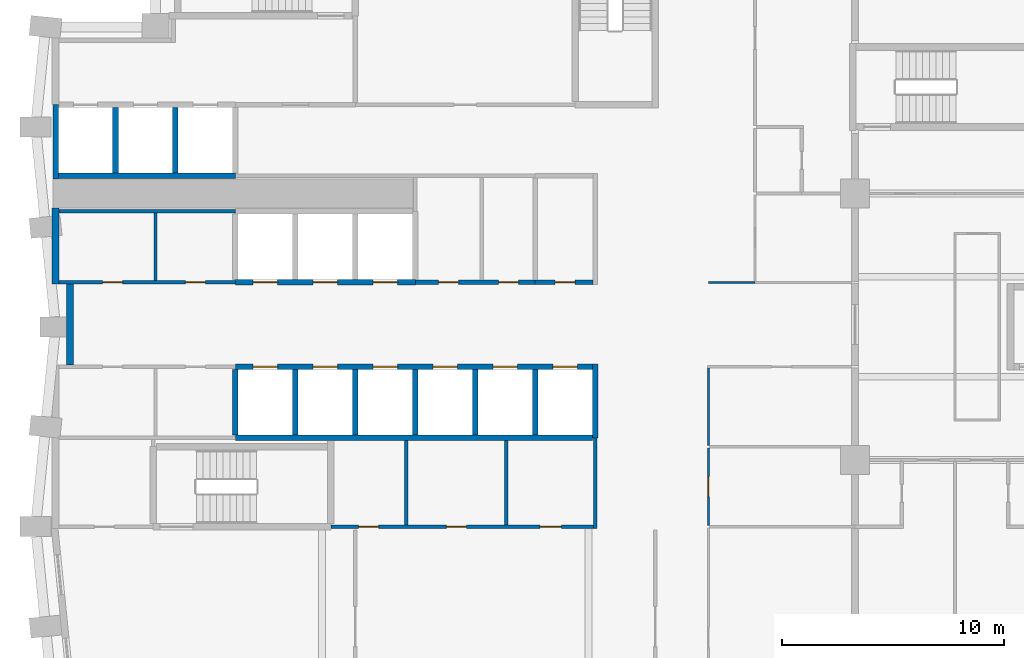
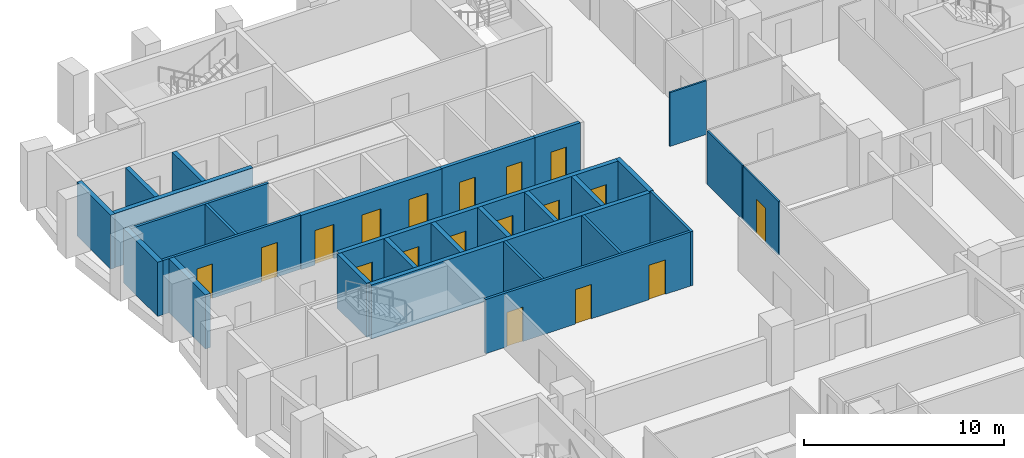
# One storey, part 6 of 13: 28 walls, 18 doors, 18 openings.
"""IFC4 building model written with IfcOpenShell, lengths in metres."""

from ifc_helpers import new_model, si_unit, direction, frame, frame_2d, origin, place, context, subcontext, project, spatial, rectangle, extrude, material, layer, layer_set, type_object, element, fill, save


model = new_model("IFC4")

# Units and contexts
model_context = context("Model", 3, precision=1e-05, world=origin(), true_north=direction((0.0, 1.0)))
body_context = subcontext(model_context, "Body", "Model", "MODEL_VIEW")
ifc_project = project(units=[si_unit("LENGTHUNIT", "METRE"), si_unit("AREAUNIT", "SQUARE_METRE"), si_unit("VOLUMEUNIT", "CUBIC_METRE"), si_unit("PLANEANGLEUNIT", "RADIAN"), si_unit("MASSUNIT", "GRAM", prefix="KILO")], contexts=[model_context])

# Site, building, storey
site_placement = place(None, origin())
site = spatial("IfcSite", under=ifc_project, at=site_placement, CompositionType="ELEMENT")
building_placement = place(site_placement, origin())
building = spatial("IfcBuilding", under=site, at=building_placement, Name="Brondeck Convention Tower", CompositionType="ELEMENT")
storey_placement = place(building_placement, frame((0.0, 0.0, 41.10009765625)))
storey = spatial("IfcBuildingStorey", under=building, at=storey_placement, Name="L07", CompositionType="ELEMENT", Elevation=41.10009765625)

# Wall, openings, doors
ifc_material_1 = material(Name="Concrete C80/95", Category="concrete")
ifc_layer_1 = layer(ifc_material_1, 0.14990234375)
ifc_layer_set_1 = layer_set([ifc_layer_1], Name="Core beam-seat wall 150 Concrete C80/95")
wall_type_1 = type_object("IfcWallType", Name="Core beam-seat wall 150 Concrete C80/95", PredefinedType="SHEAR", material=ifc_layer_set_1)
wall_1_placement = place(storey_placement, frame((12.39990234375, 36.0, 0.0), z_axis=(0.0, 0.0, 1.0), x_axis=(1.0, 0.0, 0.0)))
wall_1 = element("IfcWall", 1, at=wall_1_placement, inside=storey, type_object=wall_type_1, Name="L07 core wall", PredefinedType="SHEAR", context=body_context, shape_type="SweptSolid", body=[
    extrude(rectangle(XDim=11.8251953125, YDim=0.14990234375, at=frame_2d((5.91259765625, 0.0))), origin(), (0.0, 0.0, 1.0), 3.2998046875),
])
opening_1_placement = place(wall_1_placement, frame((1.25, 0.0, 0.0)))
opening_1 = element("IfcOpeningElement", 2, at=opening_1_placement, cuts=wall_1, Name="Opening C08-03", PredefinedType="OPENING", context=body_context, shape_type="SweptSolid", body=[
    extrude(rectangle(XDim=0.89990234375, YDim=2.10009765625, at=frame_2d((0.449951171875, 1.050048828125))), frame((0.0, 0.0849609375, 0.0), z_axis=(0.0, -1.0, 0.0), x_axis=(1.0, 0.0, 0.0)), (0.0, 0.0, 1.0), 0.169921875),
])
opening_2_placement = place(wall_1_placement, frame((5.199951171875, 0.0, 0.0)))
opening_2 = element("IfcOpeningElement", 3, at=opening_2_placement, cuts=wall_1, Name="Opening C08-04", PredefinedType="OPENING", context=body_context, shape_type="SweptSolid", body=[
    extrude(rectangle(XDim=0.89990234375, YDim=2.10009765625, at=frame_2d((0.449951171875, 1.050048828125))), frame((0.0, 0.0849609375, 0.0), z_axis=(0.0, -1.0, 0.0), x_axis=(1.0, 0.0, 0.0)), (0.0, 0.0, 1.0), 0.169921875),
])
opening_3_placement = place(wall_1_placement, frame((9.425048828125, 0.0, 0.0)))
opening_3 = element("IfcOpeningElement", 4, at=opening_3_placement, cuts=wall_1, Name="Opening C08-05", PredefinedType="OPENING", context=body_context, shape_type="SweptSolid", body=[
    extrude(rectangle(XDim=0.949951171875, YDim=2.10009765625, at=frame_2d((0.47509765625, 1.050048828125))), frame((0.0, 0.0849609375, 0.0), z_axis=(0.0, -1.0, 0.0), x_axis=(1.0, 0.0, 0.0)), (0.0, 0.0, 1.0), 0.169921875),
])
ifc_material_2 = material(Name="Steel fire door", Category="steel")
door_type_1 = type_object("IfcDoorType", Name="Room door 900x2100 EI 60", OperationType="NOTDEFINED", PredefinedType="DOOR", material=ifc_material_2)
door_1_placement = place(opening_1_placement, origin())
door_1 = element("IfcDoor", 5, at=door_1_placement, inside=storey, type_object=door_type_1, Name="L07 Room door FR-1", OperationType="SINGLE_SWING_RIGHT", OverallHeight=2.10009765625, OverallWidth=0.89990234375, PredefinedType="DOOR", context=body_context, shape_type="SweptSolid", body=[
    extrude(rectangle(XDim=0.89990234375, YDim=2.10009765625, at=frame_2d((0.449951171875, 1.050048828125))), frame((0.0, 0.02490234375, 0.0), z_axis=(0.0, -1.0, 0.0), x_axis=(1.0, 0.0, 0.0)), (0.0, 0.0, 1.0), 0.050048828125),
])
fill(opening_1, door_1)
door_2_placement = place(opening_2_placement, origin())
door_2 = element("IfcDoor", 6, at=door_2_placement, inside=storey, type_object=door_type_1, Name="L07 Room door FR-2", OperationType="SINGLE_SWING_LEFT", OverallHeight=2.10009765625, OverallWidth=0.89990234375, PredefinedType="DOOR", context=body_context, shape_type="SweptSolid", body=[
    extrude(rectangle(XDim=0.89990234375, YDim=2.10009765625, at=frame_2d((0.449951171875, 1.050048828125))), frame((0.0, 0.02490234375, 0.0), z_axis=(0.0, -1.0, 0.0), x_axis=(1.0, 0.0, 0.0)), (0.0, 0.0, 1.0), 0.050048828125),
])
fill(opening_2, door_2)
door_type_2 = type_object("IfcDoorType", Name="Room door 950x2100 EI 60", OperationType="NOTDEFINED", PredefinedType="DOOR", material=ifc_material_2)
door_3_placement = place(opening_3_placement, origin())
door_3 = element("IfcDoor", 7, at=door_3_placement, inside=storey, type_object=door_type_2, Name="L07 Room door FR-3", OperationType="SINGLE_SWING_RIGHT", OverallHeight=2.10009765625, OverallWidth=0.949951171875, PredefinedType="DOOR", context=body_context, shape_type="SweptSolid", body=[
    extrude(rectangle(XDim=0.949951171875, YDim=2.10009765625, at=frame_2d((0.47509765625, 1.050048828125))), frame((0.0, 0.02490234375, 0.0), z_axis=(0.0, -1.0, 0.0), x_axis=(1.0, 0.0, 0.0)), (0.0, 0.0, 1.0), 0.050048828125),
])
fill(opening_3, door_3)

# Walls
wall_2_placement = place(storey_placement, frame((24.300048828125, 35.925048828125, 0.0), z_axis=(0.0, 0.0, 1.0), x_axis=(0.0, 1.0, 0.0)))
element("IfcWall", 8, at=wall_2_placement, inside=storey, type_object=wall_type_1, Name="L07 core wall", PredefinedType="SHEAR", context=body_context, shape_type="SweptSolid", body=[
    extrude(rectangle(XDim=4.074951171875, YDim=0.14990234375, at=frame_2d((2.03759765625, 0.0))), origin(), (0.0, 0.0, 1.0), 3.2998046875),
])
ifc_layer_2 = layer(ifc_material_1, 0.300048828125)
ifc_layer_set_2 = layer_set([ifc_layer_2], Name="Core outer wall 300 Concrete C80/95")
wall_type_2 = type_object("IfcWallType", Name="Core outer wall 300 Concrete C80/95", PredefinedType="SHEAR", material=ifc_layer_set_2)
wall_3_placement = place(storey_placement, frame((0.0, 46.925048828125, 0.0), z_axis=(0.0, 0.0, 1.0), x_axis=(0.0, 1.0, 0.0)))
element("IfcWall", 9, at=wall_3_placement, inside=storey, type_object=wall_type_2, Name="L07 core wall", PredefinedType="SHEAR", context=body_context, shape_type="SweptSolid", body=[
    extrude(rectangle(XDim=3.425048828125, YDim=0.300048828125, at=frame_2d((1.71240234375, 0.0))), origin(), (0.0, 0.0, 1.0), 3.2998046875),
])
wall_4_placement = place(storey_placement, frame((0.64990234375, 43.27490234375, 0.0), z_axis=(0.0, 0.0, 1.0), x_axis=(0.0, 1.0, 0.0)))
element("IfcWall", 10, at=wall_4_placement, inside=storey, type_object=wall_type_2, Name="L07 core wall", PredefinedType="SHEAR", context=body_context, shape_type="SweptSolid", body=[
    extrude(rectangle(XDim=3.650146484375, YDim=0.300048828125, at=frame_2d((1.8251953125, 0.0))), origin(), (0.0, 0.0, 1.0), 3.2998046875),
])

# Wall, openings, doors
ifc_material_3 = material(Name="Fire-rated gypsum board partition")
ifc_layer_3 = layer(ifc_material_3, 0.14990234375)
ifc_layer_set_3 = layer_set([ifc_layer_3], Name="Core partition 150 EI 60")
wall_type_3 = type_object("IfcWallType", Name="Core partition 150 EI 60", PredefinedType="PARTITIONING", material=ifc_layer_set_3)
wall_5_placement = place(storey_placement, frame((0.14990234375, 47.0, 0.0), z_axis=(0.0, 0.0, 1.0), x_axis=(1.0, 0.0, 0.0)))
wall_5 = element("IfcWall", 11, at=wall_5_placement, inside=storey, type_object=wall_type_3, Name="L07 core wall", PredefinedType="PARTITIONING", context=body_context, shape_type="SweptSolid", body=[
    extrude(rectangle(XDim=7.9501953125, YDim=0.14990234375, at=frame_2d((3.97509765625, 0.0))), origin(), (0.0, 0.0, 1.0), 3.2998046875),
])
opening_4_placement = place(wall_5_placement, frame((1.97509765625, 0.0, 0.0)))
opening_4 = element("IfcOpeningElement", 12, at=opening_4_placement, cuts=wall_5, Name="Opening C08-07", PredefinedType="OPENING", context=body_context, shape_type="SweptSolid", body=[
    extrude(rectangle(XDim=0.89990234375, YDim=2.10009765625, at=frame_2d((0.449951171875, 1.050048828125))), frame((0.0, 0.0849609375, 0.0), z_axis=(0.0, -1.0, 0.0), x_axis=(1.0, 0.0, 0.0)), (0.0, 0.0, 1.0), 0.169921875),
])
opening_5_placement = place(wall_5_placement, frame((5.699951171875, 0.0, 0.0)))
opening_5 = element("IfcOpeningElement", 13, at=opening_5_placement, cuts=wall_5, Name="Opening C08-08", PredefinedType="OPENING", context=body_context, shape_type="SweptSolid", body=[
    extrude(rectangle(XDim=0.89990234375, YDim=2.10009765625, at=frame_2d((0.449951171875, 1.050048828125))), frame((0.0, 0.0849609375, 0.0), z_axis=(0.0, -1.0, 0.0), x_axis=(1.0, 0.0, 0.0)), (0.0, 0.0, 1.0), 0.169921875),
])
door_4_placement = place(opening_4_placement, origin())
door_4 = element("IfcDoor", 14, at=door_4_placement, inside=storey, type_object=door_type_1, Name="L07 Room door FZ-N-0-1", OperationType="SINGLE_SWING_RIGHT", OverallHeight=2.10009765625, OverallWidth=0.89990234375, PredefinedType="DOOR", context=body_context, shape_type="SweptSolid", body=[
    extrude(rectangle(XDim=0.89990234375, YDim=2.10009765625, at=frame_2d((0.449951171875, 1.050048828125))), frame((0.0, 0.02490234375, 0.0), z_axis=(0.0, -1.0, 0.0), x_axis=(1.0, 0.0, 0.0)), (0.0, 0.0, 1.0), 0.050048828125),
])
fill(opening_4, door_4)
door_5_placement = place(opening_5_placement, origin())
door_5 = element("IfcDoor", 15, at=door_5_placement, inside=storey, type_object=door_type_1, Name="L07 Room door FZ-N-0-2", OperationType="SINGLE_SWING_LEFT", OverallHeight=2.10009765625, OverallWidth=0.89990234375, PredefinedType="DOOR", context=body_context, shape_type="SweptSolid", body=[
    extrude(rectangle(XDim=0.89990234375, YDim=2.10009765625, at=frame_2d((0.449951171875, 1.050048828125))), frame((0.0, 0.02490234375, 0.0), z_axis=(0.0, -1.0, 0.0), x_axis=(1.0, 0.0, 0.0)), (0.0, 0.0, 1.0), 0.050048828125),
])
fill(opening_5, door_5)

# Walls
wall_6_placement = place(storey_placement, frame((0.14990234375, 50.199951171875, 0.0), z_axis=(0.0, 0.0, 1.0), x_axis=(1.0, 0.0, 0.0)))
element("IfcWall", 16, at=wall_6_placement, inside=storey, type_object=wall_type_3, Name="L07 core wall", PredefinedType="PARTITIONING", context=body_context, shape_type="SweptSolid", body=[
    extrude(rectangle(XDim=7.9501953125, YDim=0.14990234375, at=frame_2d((3.97509765625, 0.0))), origin(), (0.0, 0.0, 1.0), 3.2998046875),
])
wall_7_placement = place(storey_placement, frame((4.5, 47.074951171875, 0.0), z_axis=(0.0, 0.0, 1.0), x_axis=(0.0, 1.0, 0.0)))
element("IfcWall", 17, at=wall_7_placement, inside=storey, type_object=wall_type_3, Name="L07 core wall", PredefinedType="PARTITIONING", context=body_context, shape_type="SweptSolid", body=[
    extrude(rectangle(XDim=3.050048828125, YDim=0.14990234375, at=frame_2d((1.52490234375, 0.0))), origin(), (0.0, 0.0, 1.0), 3.2998046875),
])
for number, where, z_axis, x_axis, name in (
    (18, (15.800048828125, 36.074951171875, 0.0), (0.0, 0.0, 1.0), (0.0, 1.0, 0.0), "L07 core wall"),
    (19, (20.300048828125, 36.074951171875, 0.0), (0.0, 0.0, 1.0), (0.0, 1.0, 0.0), "L07 core wall"),
):
    element("IfcWall", number, at=place(storey_placement, frame(where, z_axis=z_axis, x_axis=x_axis)), inside=storey, type_object=wall_type_3, Name=name, PredefinedType="PARTITIONING", context=body_context, shape_type="SweptSolid", body=[
        extrude(rectangle(XDim=3.800048828125, YDim=0.14990234375, at=frame_2d((1.89990234375, 0.0))), origin(), (0.0, 0.0, 1.0), 3.2998046875),
    ])

# Wall, openings, doors
ifc_layer_4 = layer(ifc_material_3, 0.199951171875)
ifc_layer_set_4 = layer_set([ifc_layer_4], Name="Lift lobby wall 200 EI 60")
wall_type_4 = type_object("IfcWallType", Name="Lift lobby wall 200 EI 60", PredefinedType="PARTITIONING", material=ifc_layer_set_4)
wall_8_placement = place(storey_placement, frame((16.199951171875, 47.0, 0.0), z_axis=(0.0, 0.0, 1.0), x_axis=(1.0, 0.0, 0.0)))
wall_8 = element("IfcWall", 20, at=wall_8_placement, inside=storey, type_object=wall_type_4, Name="L07 core wall", PredefinedType="PARTITIONING", context=body_context, shape_type="SweptSolid", body=[
    extrude(rectangle(XDim=5.400146484375, YDim=0.199951171875, at=frame_2d((2.7001953125, 0.0))), origin(), (0.0, 0.0, 1.0), 3.2998046875),
])
opening_6_placement = place(wall_8_placement, frame((1.050048828125, 0.0, 0.0)))
opening_6 = element("IfcOpeningElement", 21, at=opening_6_placement, cuts=wall_8, Name="Opening C08-09", PredefinedType="OPENING", context=body_context, shape_type="SweptSolid", body=[
    extrude(rectangle(XDim=0.89990234375, YDim=2.10009765625, at=frame_2d((0.449951171875, 1.050048828125))), frame((0.0, 0.10986328125, 0.0), z_axis=(0.0, -1.0, 0.0), x_axis=(1.0, 0.0, 0.0)), (0.0, 0.0, 1.0), 0.219970703125),
])
opening_7_placement = place(wall_8_placement, frame((3.75, 0.0, 0.0)))
opening_7 = element("IfcOpeningElement", 22, at=opening_7_placement, cuts=wall_8, Name="Opening C08-10", PredefinedType="OPENING", context=body_context, shape_type="SweptSolid", body=[
    extrude(rectangle(XDim=0.89990234375, YDim=2.10009765625, at=frame_2d((0.449951171875, 1.050048828125))), frame((0.0, 0.10986328125, 0.0), z_axis=(0.0, -1.0, 0.0), x_axis=(1.0, 0.0, 0.0)), (0.0, 0.0, 1.0), 0.219970703125),
])
door_6_placement = place(opening_6_placement, origin())
door_6 = element("IfcDoor", 23, at=door_6_placement, inside=storey, type_object=door_type_1, Name="L07 Room door FZ-N-16.2-1", OperationType="SINGLE_SWING_LEFT", OverallHeight=2.10009765625, OverallWidth=0.89990234375, PredefinedType="DOOR", context=body_context, shape_type="SweptSolid", body=[
    extrude(rectangle(XDim=0.89990234375, YDim=2.10009765625, at=frame_2d((0.449951171875, 1.050048828125))), frame((0.0, 0.02490234375, 0.0), z_axis=(0.0, -1.0, 0.0), x_axis=(1.0, 0.0, 0.0)), (0.0, 0.0, 1.0), 0.050048828125),
])
fill(opening_6, door_6)
door_7_placement = place(opening_7_placement, origin())
door_7 = element("IfcDoor", 24, at=door_7_placement, inside=storey, type_object=door_type_1, Name="L07 Room door FZ-N-16.2-2", OperationType="SINGLE_SWING_RIGHT", OverallHeight=2.10009765625, OverallWidth=0.89990234375, PredefinedType="DOOR", context=body_context, shape_type="SweptSolid", body=[
    extrude(rectangle(XDim=0.89990234375, YDim=2.10009765625, at=frame_2d((0.449951171875, 1.050048828125))), frame((0.0, 0.02490234375, 0.0), z_axis=(0.0, -1.0, 0.0), x_axis=(1.0, 0.0, 0.0)), (0.0, 0.0, 1.0), 0.050048828125),
])
fill(opening_7, door_7)

# Wall
ifc_layer_5 = layer(ifc_material_1, 0.25)
ifc_layer_set_5 = layer_set([ifc_layer_5], Name="Lift shaft wall 250 Concrete C80/95")
wall_type_5 = type_object("IfcWallType", Name="Lift shaft wall 250 Concrete C80/95", PredefinedType="SHEAR", material=ifc_layer_set_5)
wall_9_placement = place(storey_placement, frame((8.10009765625, 40.0, 0.0), z_axis=(0.0, 0.0, 1.0), x_axis=(1.0, 0.0, 0.0)))
element("IfcWall", 25, at=wall_9_placement, inside=storey, type_object=wall_type_5, Name="L07 core wall", PredefinedType="SHEAR", context=body_context, shape_type="SweptSolid", body=[
    extrude(rectangle(XDim=16.074951171875, YDim=0.25, at=frame_2d((8.03759765625, 0.0))), origin(), (0.0, 0.0, 1.0), 3.2998046875),
])

# Wall, openings, doors
wall_10_placement = place(storey_placement, frame((8.10009765625, 43.199951171875, 0.0), z_axis=(0.0, 0.0, 1.0), x_axis=(1.0, 0.0, 0.0)))
wall_10 = element("IfcWall", 26, at=wall_10_placement, inside=storey, type_object=wall_type_5, Name="L07 core wall", PredefinedType="SHEAR", context=body_context, shape_type="SweptSolid", body=[
    extrude(rectangle(XDim=16.074951171875, YDim=0.25, at=frame_2d((8.03759765625, 0.0))), origin(), (0.0, 0.0, 1.0), 3.2998046875),
])
opening_8_placement = place(wall_10_placement, frame((14.300048828125, 0.0, 0.0)))
opening_8 = element("IfcOpeningElement", 27, at=opening_8_placement, cuts=wall_10, Name="Opening C08-24", PredefinedType="OPENING", context=body_context, shape_type="SweptSolid", body=[
    extrude(rectangle(XDim=1.10009765625, YDim=2.10009765625, at=frame_2d((0.550048828125, 1.050048828125))), frame((0.0, 0.135009765625, 0.0), z_axis=(0.0, -1.0, 0.0), x_axis=(1.0, 0.0, 0.0)), (0.0, 0.0, 1.0), 0.27001953125),
])
opening_9_placement = place(wall_10_placement, frame((0.800048828125, 0.0, 0.0)))
opening_9 = element("IfcOpeningElement", 28, at=opening_9_placement, cuts=wall_10, Name="Opening C08-25", PredefinedType="OPENING", context=body_context, shape_type="SweptSolid", body=[
    extrude(rectangle(XDim=1.10009765625, YDim=2.10009765625, at=frame_2d((0.550048828125, 1.050048828125))), frame((0.0, 0.135009765625, 0.0), z_axis=(0.0, -1.0, 0.0), x_axis=(1.0, 0.0, 0.0)), (0.0, 0.0, 1.0), 0.27001953125),
])
opening_10_placement = place(wall_10_placement, frame((3.5, 0.0, 0.0)))
opening_10 = element("IfcOpeningElement", 29, at=opening_10_placement, cuts=wall_10, Name="Opening C08-26", PredefinedType="OPENING", context=body_context, shape_type="SweptSolid", body=[
    extrude(rectangle(XDim=1.10009765625, YDim=2.10009765625, at=frame_2d((0.550048828125, 1.050048828125))), frame((0.0, 0.135009765625, 0.0), z_axis=(0.0, -1.0, 0.0), x_axis=(1.0, 0.0, 0.0)), (0.0, 0.0, 1.0), 0.27001953125),
])
opening_11_placement = place(wall_10_placement, frame((6.199951171875, 0.0, 0.0)))
opening_11 = element("IfcOpeningElement", 30, at=opening_11_placement, cuts=wall_10, Name="Opening C08-27", PredefinedType="OPENING", context=body_context, shape_type="SweptSolid", body=[
    extrude(rectangle(XDim=1.10009765625, YDim=2.10009765625, at=frame_2d((0.550048828125, 1.050048828125))), frame((0.0, 0.135009765625, 0.0), z_axis=(0.0, -1.0, 0.0), x_axis=(1.0, 0.0, 0.0)), (0.0, 0.0, 1.0), 0.27001953125),
])
opening_12_placement = place(wall_10_placement, frame((8.89990234375, 0.0, 0.0)))
opening_12 = element("IfcOpeningElement", 31, at=opening_12_placement, cuts=wall_10, Name="Opening C08-31", PredefinedType="OPENING", context=body_context, shape_type="SweptSolid", body=[
    extrude(rectangle(XDim=1.10009765625, YDim=2.10009765625, at=frame_2d((0.550048828125, 1.050048828125))), frame((0.0, 0.135009765625, 0.0), z_axis=(0.0, -1.0, 0.0), x_axis=(1.0, 0.0, 0.0)), (0.0, 0.0, 1.0), 0.27001953125),
])
opening_13_placement = place(wall_10_placement, frame((11.60009765625, 0.0, 0.0)))
opening_13 = element("IfcOpeningElement", 32, at=opening_13_placement, cuts=wall_10, Name="Opening C08-32", PredefinedType="OPENING", context=body_context, shape_type="SweptSolid", body=[
    extrude(rectangle(XDim=1.10009765625, YDim=2.10009765625, at=frame_2d((0.550048828125, 1.050048828125))), frame((0.0, 0.135009765625, 0.0), z_axis=(0.0, -1.0, 0.0), x_axis=(1.0, 0.0, 0.0)), (0.0, 0.0, 1.0), 0.27001953125),
])
ifc_material_4 = material(Name="Stainless steel lift door", Category="steel")
door_type_3 = type_object("IfcDoorType", Name="Lift landing door 1100x2100 EI 180", OperationType="DOUBLE_DOOR_SLIDING", PredefinedType="DOOR", material=ifc_material_4)
door_8_placement = place(opening_8_placement, origin())
door_8 = element("IfcDoor", 33, at=door_8_placement, inside=storey, type_object=door_type_3, Name="L07 Lift landing door HS1", OperationType="DOUBLE_DOOR_SLIDING", OverallHeight=2.10009765625, OverallWidth=1.10009765625, PredefinedType="DOOR", context=body_context, shape_type="SweptSolid", body=[
    extrude(rectangle(XDim=1.10009765625, YDim=2.10009765625, at=frame_2d((0.550048828125, 1.050048828125))), frame((0.0, 0.02490234375, 0.0), z_axis=(0.0, -1.0, 0.0), x_axis=(1.0, 0.0, 0.0)), (0.0, 0.0, 1.0), 0.050048828125),
])
fill(opening_8, door_8)
door_9_placement = place(opening_9_placement, origin())
door_9 = element("IfcDoor", 34, at=door_9_placement, inside=storey, type_object=door_type_3, Name="L07 Lift landing door LR1", OperationType="DOUBLE_DOOR_SLIDING", OverallHeight=2.10009765625, OverallWidth=1.10009765625, PredefinedType="DOOR", context=body_context, shape_type="SweptSolid", body=[
    extrude(rectangle(XDim=1.10009765625, YDim=2.10009765625, at=frame_2d((0.550048828125, 1.050048828125))), frame((0.0, 0.02490234375, 0.0), z_axis=(0.0, -1.0, 0.0), x_axis=(1.0, 0.0, 0.0)), (0.0, 0.0, 1.0), 0.050048828125),
])
fill(opening_9, door_9)
door_10_placement = place(opening_10_placement, origin())
door_10 = element("IfcDoor", 35, at=door_10_placement, inside=storey, type_object=door_type_3, Name="L07 Lift landing door LR2", OperationType="DOUBLE_DOOR_SLIDING", OverallHeight=2.10009765625, OverallWidth=1.10009765625, PredefinedType="DOOR", context=body_context, shape_type="SweptSolid", body=[
    extrude(rectangle(XDim=1.10009765625, YDim=2.10009765625, at=frame_2d((0.550048828125, 1.050048828125))), frame((0.0, 0.02490234375, 0.0), z_axis=(0.0, -1.0, 0.0), x_axis=(1.0, 0.0, 0.0)), (0.0, 0.0, 1.0), 0.050048828125),
])
fill(opening_10, door_10)
door_11_placement = place(opening_11_placement, origin())
door_11 = element("IfcDoor", 36, at=door_11_placement, inside=storey, type_object=door_type_3, Name="L07 Lift landing door LR3", OperationType="DOUBLE_DOOR_SLIDING", OverallHeight=2.10009765625, OverallWidth=1.10009765625, PredefinedType="DOOR", context=body_context, shape_type="SweptSolid", body=[
    extrude(rectangle(XDim=1.10009765625, YDim=2.10009765625, at=frame_2d((0.550048828125, 1.050048828125))), frame((0.0, 0.02490234375, 0.0), z_axis=(0.0, -1.0, 0.0), x_axis=(1.0, 0.0, 0.0)), (0.0, 0.0, 1.0), 0.050048828125),
])
fill(opening_11, door_11)
door_12_placement = place(opening_12_placement, origin())
door_12 = element("IfcDoor", 37, at=door_12_placement, inside=storey, type_object=door_type_3, Name="L07 Lift landing door SH1", OperationType="DOUBLE_DOOR_SLIDING", OverallHeight=2.10009765625, OverallWidth=1.10009765625, PredefinedType="DOOR", context=body_context, shape_type="SweptSolid", body=[
    extrude(rectangle(XDim=1.10009765625, YDim=2.10009765625, at=frame_2d((0.550048828125, 1.050048828125))), frame((0.0, 0.02490234375, 0.0), z_axis=(0.0, -1.0, 0.0), x_axis=(1.0, 0.0, 0.0)), (0.0, 0.0, 1.0), 0.050048828125),
])
fill(opening_12, door_12)
door_13_placement = place(opening_13_placement, origin())
door_13 = element("IfcDoor", 38, at=door_13_placement, inside=storey, type_object=door_type_3, Name="L07 Lift landing door SH2", OperationType="DOUBLE_DOOR_SLIDING", OverallHeight=2.10009765625, OverallWidth=1.10009765625, PredefinedType="DOOR", context=body_context, shape_type="SweptSolid", body=[
    extrude(rectangle(XDim=1.10009765625, YDim=2.10009765625, at=frame_2d((0.550048828125, 1.050048828125))), frame((0.0, 0.02490234375, 0.0), z_axis=(0.0, -1.0, 0.0), x_axis=(1.0, 0.0, 0.0)), (0.0, 0.0, 1.0), 0.050048828125),
])
fill(opening_13, door_13)

wall_11_placement = place(storey_placement, frame((8.10009765625, 47.0, 0.0), z_axis=(0.0, 0.0, 1.0), x_axis=(1.0, 0.0, 0.0)))
wall_11 = element("IfcWall", 39, at=wall_11_placement, inside=storey, type_object=wall_type_5, Name="L07 core wall", PredefinedType="SHEAR", context=body_context, shape_type="SweptSolid", body=[
    extrude(rectangle(XDim=8.099853515625, YDim=0.25, at=frame_2d((4.0498046875, 0.0))), origin(), (0.0, 0.0, 1.0), 3.2998046875),
])
opening_14_placement = place(wall_11_placement, frame((0.800048828125, 0.0, 0.0)))
opening_14 = element("IfcOpeningElement", 40, at=opening_14_placement, cuts=wall_11, Name="Opening C08-28", PredefinedType="OPENING", context=body_context, shape_type="SweptSolid", body=[
    extrude(rectangle(XDim=1.10009765625, YDim=2.10009765625, at=frame_2d((0.550048828125, 1.050048828125))), frame((0.0, 0.135009765625, 0.0), z_axis=(0.0, -1.0, 0.0), x_axis=(1.0, 0.0, 0.0)), (0.0, 0.0, 1.0), 0.27001953125),
])
opening_15_placement = place(wall_11_placement, frame((3.5, 0.0, 0.0)))
opening_15 = element("IfcOpeningElement", 41, at=opening_15_placement, cuts=wall_11, Name="Opening C08-29", PredefinedType="OPENING", context=body_context, shape_type="SweptSolid", body=[
    extrude(rectangle(XDim=1.10009765625, YDim=2.10009765625, at=frame_2d((0.550048828125, 1.050048828125))), frame((0.0, 0.135009765625, 0.0), z_axis=(0.0, -1.0, 0.0), x_axis=(1.0, 0.0, 0.0)), (0.0, 0.0, 1.0), 0.27001953125),
])
opening_16_placement = place(wall_11_placement, frame((6.199951171875, 0.0, 0.0)))
opening_16 = element("IfcOpeningElement", 42, at=opening_16_placement, cuts=wall_11, Name="Opening C08-30", PredefinedType="OPENING", context=body_context, shape_type="SweptSolid", body=[
    extrude(rectangle(XDim=1.10009765625, YDim=2.10009765625, at=frame_2d((0.550048828125, 1.050048828125))), frame((0.0, 0.135009765625, 0.0), z_axis=(0.0, -1.0, 0.0), x_axis=(1.0, 0.0, 0.0)), (0.0, 0.0, 1.0), 0.27001953125),
])
door_14_placement = place(opening_14_placement, origin())
door_14 = element("IfcDoor", 43, at=door_14_placement, inside=storey, type_object=door_type_3, Name="L07 Lift landing door LR4", OperationType="DOUBLE_DOOR_SLIDING", OverallHeight=2.10009765625, OverallWidth=1.10009765625, PredefinedType="DOOR", context=body_context, shape_type="SweptSolid", body=[
    extrude(rectangle(XDim=1.10009765625, YDim=2.10009765625, at=frame_2d((0.550048828125, 1.050048828125))), frame((0.0, 0.02490234375, 0.0), z_axis=(0.0, -1.0, 0.0), x_axis=(1.0, 0.0, 0.0)), (0.0, 0.0, 1.0), 0.050048828125),
])
fill(opening_14, door_14)
door_15_placement = place(opening_15_placement, origin())
door_15 = element("IfcDoor", 44, at=door_15_placement, inside=storey, type_object=door_type_3, Name="L07 Lift landing door LR5", OperationType="DOUBLE_DOOR_SLIDING", OverallHeight=2.10009765625, OverallWidth=1.10009765625, PredefinedType="DOOR", context=body_context, shape_type="SweptSolid", body=[
    extrude(rectangle(XDim=1.10009765625, YDim=2.10009765625, at=frame_2d((0.550048828125, 1.050048828125))), frame((0.0, 0.02490234375, 0.0), z_axis=(0.0, -1.0, 0.0), x_axis=(1.0, 0.0, 0.0)), (0.0, 0.0, 1.0), 0.050048828125),
])
fill(opening_15, door_15)
door_16_placement = place(opening_16_placement, origin())
door_16 = element("IfcDoor", 45, at=door_16_placement, inside=storey, type_object=door_type_3, Name="L07 Lift landing door LR6", OperationType="DOUBLE_DOOR_SLIDING", OverallHeight=2.10009765625, OverallWidth=1.10009765625, PredefinedType="DOOR", context=body_context, shape_type="SweptSolid", body=[
    extrude(rectangle(XDim=1.10009765625, YDim=2.10009765625, at=frame_2d((0.550048828125, 1.050048828125))), frame((0.0, 0.02490234375, 0.0), z_axis=(0.0, -1.0, 0.0), x_axis=(1.0, 0.0, 0.0)), (0.0, 0.0, 1.0), 0.050048828125),
])
fill(opening_16, door_16)

# Walls
wall_12_placement = place(storey_placement, frame((0.125, 51.800048828125, 0.0), z_axis=(0.0, 0.0, 1.0), x_axis=(1.0, 0.0, 0.0)))
element("IfcWall", 46, at=wall_12_placement, inside=storey, type_object=wall_type_5, Name="L07 core wall", PredefinedType="SHEAR", context=body_context, shape_type="SweptSolid", body=[
    extrude(rectangle(XDim=7.97509765625, YDim=0.25, at=frame_2d((3.987548828125, 0.0))), origin(), (0.0, 0.0, 1.0), 3.2998046875),
])
wall_13_placement = place(storey_placement, frame((0.0, 51.64990234375, 0.0), z_axis=(0.0, 0.0, 1.0), x_axis=(0.0, 1.0, 0.0)))
element("IfcWall", 47, at=wall_13_placement, inside=storey, type_object=wall_type_5, Name="L07 core wall", PredefinedType="SHEAR", context=body_context, shape_type="SweptSolid", body=[
    extrude(rectangle(XDim=3.35009765625, YDim=0.25, at=frame_2d((1.675048828125, 0.0))), origin(), (0.0, 0.0, 1.0), 3.2998046875),
])
for number, where, z_axis, x_axis, name in (
    (48, (2.699951171875, 51.925048828125, 0.0), (0.0, 0.0, 1.0), (0.0, 1.0, 0.0), "L07 core wall"),
    (49, (5.39990234375, 51.925048828125, 0.0), (0.0, 0.0, 1.0), (0.0, 1.0, 0.0), "L07 core wall"),
    (50, (8.10009765625, 40.125, 0.0), (0.0, 0.0, 1.0), (0.0, 1.0, 0.0), "L07 core wall"),
    (51, (10.800048828125, 40.125, 0.0), (0.0, 0.0, 1.0), (0.0, 1.0, 0.0), "L07 core wall"),
    (52, (13.5, 40.125, 0.0), (0.0, 0.0, 1.0), (0.0, 1.0, 0.0), "L07 core wall"),
    (53, (16.199951171875, 40.125, 0.0), (0.0, 0.0, 1.0), (0.0, 1.0, 0.0), "L07 core wall"),
    (54, (18.89990234375, 40.125, 0.0), (0.0, 0.0, 1.0), (0.0, 1.0, 0.0), "L07 core wall"),
    (55, (21.60009765625, 40.125, 0.0), (0.0, 0.0, 1.0), (0.0, 1.0, 0.0), "L07 core wall"),
):
    element("IfcWall", number, at=place(storey_placement, frame(where, z_axis=z_axis, x_axis=x_axis)), inside=storey, type_object=wall_type_5, Name=name, PredefinedType="SHEAR", context=body_context, shape_type="SweptSolid", body=[
        extrude(rectangle(XDim=2.949951171875, YDim=0.25, at=frame_2d((1.47509765625, 0.0))), origin(), (0.0, 0.0, 1.0), 3.2998046875),
    ])
wall_14_placement = place(storey_placement, frame((24.300048828125, 40.0, 0.0), z_axis=(0.0, 0.0, 1.0), x_axis=(0.0, 1.0, 0.0)))
element("IfcWall", 56, at=wall_14_placement, inside=storey, type_object=wall_type_5, Name="L07 core wall", PredefinedType="SHEAR", context=body_context, shape_type="SweptSolid", body=[
    extrude(rectangle(XDim=3.324951171875, YDim=0.25, at=frame_2d((1.66259765625, 0.0))), origin(), (0.0, 0.0, 1.0), 3.2998046875),
])

# Wall, opening, door
ifc_layer_6 = layer(ifc_material_3, 0.199951171875)
ifc_layer_set_6 = layer_set([ifc_layer_6], Name="Riser wall 200 EI 120")
wall_type_6 = type_object("IfcWallType", Name="Riser wall 200 EI 120", PredefinedType="PARTITIONING", material=ifc_layer_set_6)
wall_15_placement = place(storey_placement, frame((21.60009765625, 47.0, 0.0), z_axis=(0.0, 0.0, 1.0), x_axis=(1.0, 0.0, 0.0)))
wall_15 = element("IfcWall", 57, at=wall_15_placement, inside=storey, type_object=wall_type_6, Name="L07 core wall", PredefinedType="PARTITIONING", context=body_context, shape_type="SweptSolid", body=[
    extrude(rectangle(XDim=2.599853515625, YDim=0.199951171875, at=frame_2d((1.2998046875, 0.0))), origin(), (0.0, 0.0, 1.0), 3.2998046875),
])
opening_17_placement = place(wall_15_placement, frame((0.89990234375, 0.0, 0.0)))
opening_17 = element("IfcOpeningElement", 58, at=opening_17_placement, cuts=wall_15, Name="Opening C08-02", PredefinedType="OPENING", context=body_context, shape_type="SweptSolid", body=[
    extrude(rectangle(XDim=0.89990234375, YDim=2.10009765625, at=frame_2d((0.449951171875, 1.050048828125))), frame((0.0, 0.10986328125, 0.0), z_axis=(0.0, -1.0, 0.0), x_axis=(1.0, 0.0, 0.0)), (0.0, 0.0, 1.0), 0.219970703125),
])
door_type_4 = type_object("IfcDoorType", Name="Riser door 900x2100 EI 120", OperationType="NOTDEFINED", PredefinedType="DOOR", material=ifc_material_2)
door_17_placement = place(opening_17_placement, origin())
door_17 = element("IfcDoor", 59, at=door_17_placement, inside=storey, type_object=door_type_4, Name="L07 Riser door EN-1", OperationType="SINGLE_SWING_LEFT", OverallHeight=2.10009765625, OverallWidth=0.89990234375, PredefinedType="DOOR", context=body_context, shape_type="SweptSolid", body=[
    extrude(rectangle(XDim=0.89990234375, YDim=2.10009765625, at=frame_2d((0.449951171875, 1.050048828125))), frame((0.0, 0.02490234375, 0.0), z_axis=(0.0, -1.0, 0.0), x_axis=(1.0, 0.0, 0.0)), (0.0, 0.0, 1.0), 0.050048828125),
])
fill(opening_17, door_17)

ifc_material_5 = material(Name="Gypsum board partition on steel studs", Category="steel")
ifc_layer_7 = layer(ifc_material_5, 0.10009765625)
ifc_layer_set_7 = layer_set([ifc_layer_7], Name="Room partition 100")
wall_type_7 = type_object("IfcWallType", Name="Room partition 100", PredefinedType="PARTITIONING", material=ifc_layer_set_7)
wall_16_placement = place(storey_placement, frame((29.39990234375, 39.550048828125, 0.0), z_axis=(0.0, 0.0, 1.0), x_axis=(0.0, -1.0, 0.0)))
wall_16 = element("IfcWall", 60, at=wall_16_placement, inside=storey, type_object=wall_type_7, Name="FLR-L07-W102", PredefinedType="PARTITIONING", context=body_context, shape_type="SweptSolid", body=[
    extrude(rectangle(XDim=3.5, YDim=0.10009765625, at=frame_2d((1.75, 0.0))), origin(), (0.0, 0.0, 1.0), 3.27978515625),
])
opening_18_placement = place(wall_16_placement, frame((1.300048828125, 0.0, 0.0)))
opening_18 = element("IfcOpeningElement", 61, at=opening_18_placement, cuts=wall_16, Name="Opening H1-050", PredefinedType="OPENING", context=body_context, shape_type="SweptSolid", body=[
    extrude(rectangle(XDim=0.89990234375, YDim=2.10009765625, at=frame_2d((0.449951171875, 1.050048828125))), frame((0.0, 0.06005859375, 0.0), z_axis=(0.0, -1.0, 0.0), x_axis=(1.0, 0.0, 0.0)), (0.0, 0.0, 1.0), 0.1201171875),
])
ifc_material_6 = material(Name="Solid timber door leaf", Category="wood")
door_type_5 = type_object("IfcDoorType", Name="Single door 900", OperationType="NOTDEFINED", PredefinedType="DOOR", material=ifc_material_6)
door_18_placement = place(opening_18_placement, origin())
door_18 = element("IfcDoor", 62, at=door_18_placement, inside=storey, type_object=door_type_5, Name="Door H1-050", OperationType="SINGLE_SWING_RIGHT", OverallHeight=2.10009765625, OverallWidth=0.89990234375, PredefinedType="DOOR", context=body_context, shape_type="SweptSolid", body=[
    extrude(rectangle(XDim=0.89990234375, YDim=2.10009765625, at=frame_2d((0.449951171875, 1.050048828125))), frame((0.0, 0.02490234375, 0.0), z_axis=(0.0, -1.0, 0.0), x_axis=(1.0, 0.0, 0.0)), (0.0, 0.0, 1.0), 0.050048828125),
])
fill(opening_18, door_18)

# Walls
wall_17_placement = place(storey_placement, frame((29.39990234375, 43.14990234375, 0.0), z_axis=(0.0, 0.0, 1.0), x_axis=(0.0, -1.0, 0.0)))
element("IfcWall", 63, at=wall_17_placement, inside=storey, type_object=wall_type_7, Name="FLR-L07-W109", PredefinedType="PARTITIONING", context=body_context, shape_type="SweptSolid", body=[
    extrude(rectangle(XDim=3.5, YDim=0.10009765625, at=frame_2d((1.75, 0.0))), origin(), (0.0, 0.0, 1.0), 3.27978515625),
])
wall_18_placement = place(storey_placement, frame((29.39990234375, 47.0, 0.0), z_axis=(0.0, 0.0, 1.0), x_axis=(1.0, 0.0, 0.0)))
element("IfcWall", 64, at=wall_18_placement, inside=storey, type_object=wall_type_7, Name="FLR-L07-W115", PredefinedType="PARTITIONING", context=body_context, shape_type="SweptSolid", body=[
    extrude(rectangle(XDim=2.10009765625, YDim=0.10009765625, at=frame_2d((1.050048828125, 0.0))), origin(), (0.0, 0.0, 1.0), 3.27978515625),
])

save(model, "model.ifc")
